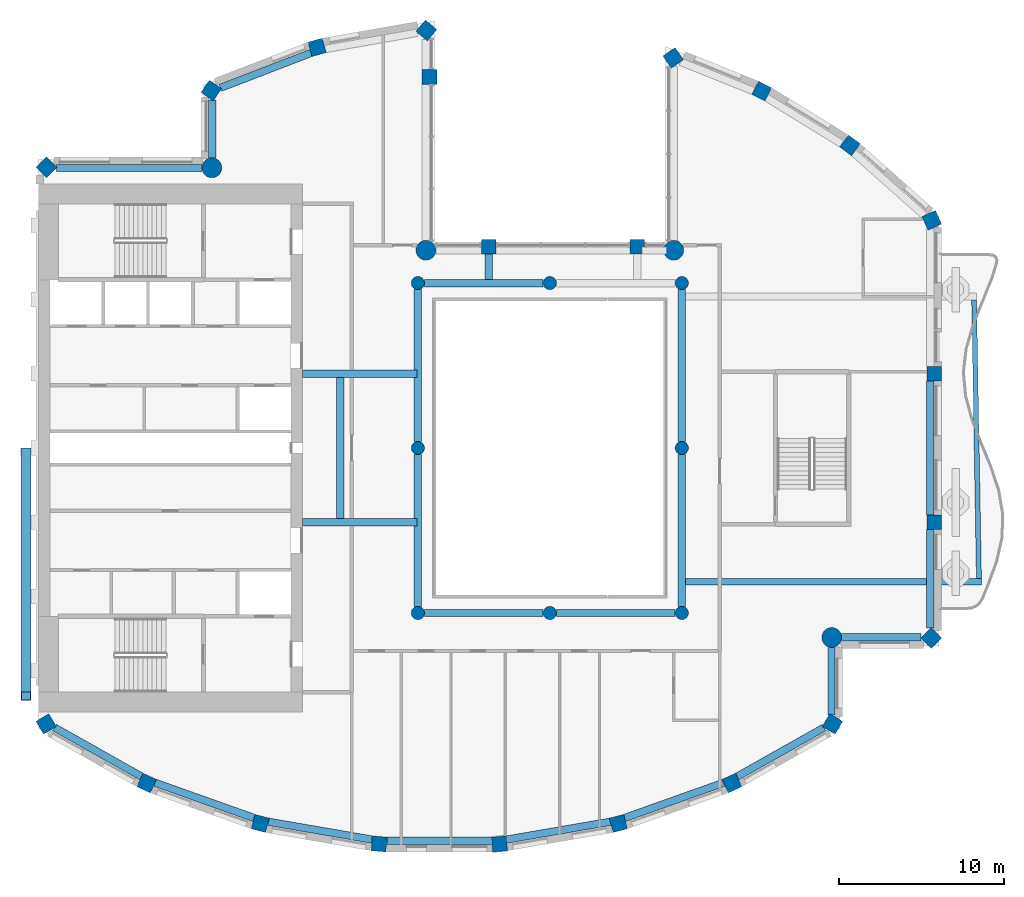
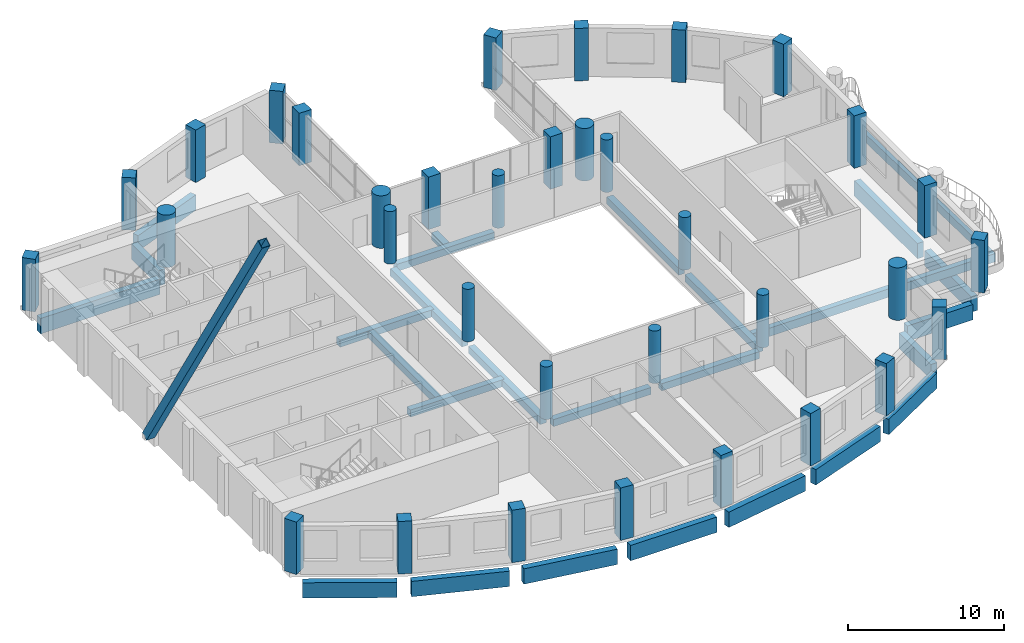
# One storey, part 1 of 15: 34 columns, 27 beams, 1 member.
"""IFC4 building model written with IfcOpenShell, lengths in metres."""

from ifc_helpers import new_model, si_unit, direction, frame, origin, origin_2d, place, context, subcontext, project, spatial, rectangle, hollow_rectangle, circle, extrude, material, material_profile, profile_set, type_object, element, save


model = new_model("IFC4")

# Units and contexts
model_context = context("Model", 3, precision=1e-05, world=origin(), true_north=direction((0.0, 1.0)))
body_context = subcontext(model_context, "Body", "Model", "MODEL_VIEW")
ifc_project = project(units=[si_unit("LENGTHUNIT", "METRE"), si_unit("AREAUNIT", "SQUARE_METRE"), si_unit("VOLUMEUNIT", "CUBIC_METRE"), si_unit("PLANEANGLEUNIT", "RADIAN"), si_unit("MASSUNIT", "GRAM", prefix="KILO")], contexts=[model_context])

# Site, building, storey
site_placement = place(None, origin())
site = spatial("IfcSite", under=ifc_project, at=site_placement, CompositionType="ELEMENT")
building_placement = place(site_placement, origin())
building = spatial("IfcBuilding", under=site, at=building_placement, Name="Cypress Arch Tower", CompositionType="ELEMENT")
storey_placement = place(building_placement, frame((0.0, 0.0, 313.10009765625)))
storey = spatial("IfcBuildingStorey", under=building, at=storey_placement, Name="L71", CompositionType="ELEMENT", Elevation=313.10009765625)

# Columns
ifc_material_1 = material(Name="Concrete C60/75", Category="concrete")
ifc_material_profile_1 = material_profile(ifc_material_1, rectangle(XDim=0.89990234375, YDim=0.89990234375, at=origin_2d()), Name="RC 900x900")
ifc_profile_set_1 = profile_set([ifc_material_profile_1], Name="Concrete C60/75")
column_type_1 = type_object("IfcColumnType", Name="Column RC 900x900 Concrete C60/75", PredefinedType="COLUMN", material=ifc_profile_set_1)
for number, where, z_axis, x_axis, name in (
    (1, (8.474853515625, 23.6474609375, 0.0), (0.0, 0.0, 1.0), (-0.828469606019, -0.560034027451, 0.0), "Column L71 CC00"),
    (2, (6.300048828125, 12.199951171875, 0.0), (0.0, 0.0, 1.0), (-1.0, 0.0, 0.0), "Column L71 CC02"),
    (3, (-2.699951171875, 12.199951171875, 0.0), (0.0, 0.0, 1.0), (-1.0, 0.0, 0.0), "Column L71 CC03"),
    (4, (-6.300048828125, 22.5, 0.0), (0.0, 0.0, 1.0), (0.0, 1.0, 0.0), "Column L71 CC05"),
    (5, (-6.48388671875, 25.313232421875, 0.0), (0.0, 0.0, 1.0), (-0.766063514674, 0.642764880407, 0.0), "Column L71 CC06"),
    (6, (-13.108154296875, 24.28955078125, 0.0), (0.0, 0.0, 1.0), (-0.96345574646, -0.267867550506, 0.0), "Column L71 CC07"),
    (7, (-19.5244140625, 21.673583984375, 0.0), (0.0, 0.0, 1.0), (-0.565892599589, -0.824478966215, 0.0), "Column L71 CC08"),
    (8, (-29.513671875, 17.013671875, 0.0), (0.0, 0.0, 1.0), (-0.707106781187, -0.707106781187, 0.0), "Column L71 CC10"),
    (9, (-29.534423828125, -16.72802734375, 0.0), (0.0, 0.0, 1.0), (0.504399289829, -0.86347053014, 0.0), "Column L71 CC11"),
    (10, (-23.439697265625, -20.312255859375, 0.0), (0.0, 0.0, 1.0), (0.909932071487, -0.414757308891, 0.0), "Column L71 CC12"),
    (11, (-16.55419921875, -22.762939453125, 0.0), (0.0, 0.0, 1.0), (0.96735573689, -0.2534223319, 0.0), "Column L71 CC13"),
    (12, (-9.351318359375, -24.00341796875, 0.0), (0.0, 0.0, 1.0), (0.996368206733, -0.085149260784, 0.0), "Column L71 CC14"),
    (13, (-2.048828125, -24.00341796875, 0.0), (0.0, 0.0, 1.0), (0.996368206733, 0.085149260784, 0.0), "Column L71 CC15"),
    (14, (5.154296875, -22.762939453125, 0.0), (0.0, 0.0, 1.0), (0.96735573689, 0.2534223319, 0.0), "Column L71 CC16"),
    (15, (12.039794921875, -20.312255859375, 0.0), (0.0, 0.0, 1.0), (0.909932071487, 0.414757308891, 0.0), "Column L71 CC17"),
    (16, (18.134521484375, -16.72802734375, 0.0), (0.0, 0.0, 1.0), (0.504399289829, 0.86347053014, 0.0), "Column L71 CC18"),
    (17, (24.113525390625, -11.513671875, 0.0), (0.0, 0.0, 1.0), (0.707106781187, 0.707106781187, 0.0), "Column L71 CC20"),
    (18, (24.300048828125, -4.5, 0.0), (0.0, 0.0, 1.0), (0.0, 1.0, 0.0), "Column L71 CC21"),
    (19, (24.300048828125, 4.5, 0.0), (0.0, 0.0, 1.0), (0.0, 1.0, 0.0), "Column L71 CC22"),
    (20, (24.155029296875, 13.800048828125, 0.0), (0.0, 0.0, 1.0), (-0.409765058504, 0.912191096662, 0.0), "Column L71 CC23"),
    (21, (19.197998046875, 18.347900390625, 0.0), (0.0, 0.0, 1.0), (-0.802798546114, 0.596250362144, 0.0), "Column L71 CC24"),
    (22, (13.84814453125, 21.638427734375, 0.0), (0.0, 0.0, 1.0), (-0.893106499805, 0.44984528452, 0.0), "Column L71 CC25"),
):
    element("IfcColumn", number, at=place(storey_placement, frame(where, z_axis=z_axis, x_axis=x_axis)), inside=storey, type_object=column_type_1, Name=name, PredefinedType="COLUMN", context=body_context, shape_type="SweptSolid", body=[
        extrude(rectangle(XDim=0.89990234375, YDim=0.89990234375, at=origin_2d()), origin(), (0.0, 0.0, 1.0), 4.099853515625),
    ])
ifc_material_2 = material(Name="Concrete C60/75", Category="concrete")
ifc_material_profile_2 = material_profile(ifc_material_2, circle(Radius=0.39990234375, at=origin_2d()), Name="RC D800")
ifc_profile_set_2 = profile_set([ifc_material_profile_2], Name="Concrete C60/75")
column_type_2 = type_object("IfcColumnType", Name="Column RC D800 Concrete C60/75", PredefinedType="COLUMN", material=ifc_profile_set_2)
for number, where, z_axis, x_axis, name in (
    (23, (-7.0, -10.0, 0.0), (0.0, 0.0, 1.0), (1.0, 0.0, 0.0), "Column L71 RNG-L71-G-7-10"),
    (24, (-7.0, 0.0, 0.0), (0.0, 0.0, 1.0), (1.0, 0.0, 0.0), "Column L71 RNG-L71-G-7+0"),
    (25, (-7.0, 10.0, 0.0), (0.0, 0.0, 1.0), (1.0, 0.0, 0.0), "Column L71 RNG-L71-G-7+10"),
    (26, (1.0, -10.0, 0.0), (0.0, 0.0, 1.0), (1.0, 0.0, 0.0), "Column L71 RNG-L71-G+1-10"),
    (27, (1.0, 10.0, 0.0), (0.0, 0.0, 1.0), (1.0, 0.0, 0.0), "Column L71 RNG-L71-G+1+10"),
    (28, (9.0, -10.0, 0.0), (0.0, 0.0, 1.0), (1.0, 0.0, 0.0), "Column L71 RNG-L71-G+9-10"),
    (29, (9.0, 0.0, 0.0), (0.0, 0.0, 1.0), (1.0, 0.0, 0.0), "Column L71 RNG-L71-G+9+0"),
    (30, (9.0, 10.0, 0.0), (0.0, 0.0, 1.0), (1.0, 0.0, 0.0), "Column L71 RNG-L71-G+9+10"),
):
    element("IfcColumn", number, at=place(storey_placement, frame(where, z_axis=z_axis, x_axis=x_axis)), inside=storey, type_object=column_type_2, Name=name, PredefinedType="COLUMN", context=body_context, shape_type="SweptSolid", body=[
        extrude(circle(Radius=0.39990234375, at=origin_2d()), origin(), (0.0, 0.0, 1.0), 4.099853515625),
    ])
ifc_material_3 = material(Name="Concrete C60/75", Category="concrete")
ifc_material_profile_3 = material_profile(ifc_material_3, circle(Radius=0.60009765625, at=origin_2d()), Name="RC D1200")
ifc_profile_set_3 = profile_set([ifc_material_profile_3], Name="Concrete C60/75")
column_type_3 = type_object("IfcColumnType", Name="Mega-column RC D1200 Concrete C60/75", PredefinedType="COLUMN", material=ifc_profile_set_3)
for number, where, z_axis, x_axis, name in (
    (31, (8.51220703125, 11.98779296875, 0.0), (0.0, 0.0, 1.0), (1.0, 0.0, 0.0), "Column L71 CC01"),
    (32, (-6.51220703125, 11.98779296875, 0.0), (0.0, 0.0, 1.0), (1.0, 0.0, 0.0), "Column L71 CC04"),
    (33, (-19.48779296875, 16.98779296875, 0.0), (0.0, 0.0, 1.0), (1.0, 0.0, 0.0), "Column L71 CC09"),
    (34, (18.087890625, -11.48779296875, 0.0), (0.0, 0.0, 1.0), (1.0, 0.0, 0.0), "Column L71 CC19"),
):
    element("IfcColumn", number, at=place(storey_placement, frame(where, z_axis=z_axis, x_axis=x_axis)), inside=storey, type_object=column_type_3, Name=name, PredefinedType="COLUMN", context=body_context, shape_type="SweptSolid", body=[
        extrude(circle(Radius=0.60009765625, at=origin_2d()), origin(), (0.0, 0.0, 1.0), 4.099853515625),
    ])

# Beams
ifc_material_4 = material(Name="Concrete C50/60", Category="concrete")
ifc_material_profile_4 = material_profile(ifc_material_4, rectangle(XDim=0.300048828125, YDim=0.64990234375, at=origin_2d()), Name="RC 300x650")
ifc_profile_set_4 = profile_set([ifc_material_profile_4], Name="Concrete C50/60")
beam_type_1 = type_object("IfcBeamType", Name="Balcony edge beam RC 300x650 Concrete C50/60", PredefinedType="BEAM", material=ifc_profile_set_4)
beam_1_placement = place(storey_placement, frame((27.012939453125, -7.89990234375, -0.625), z_axis=(-0.017206169627, 0.999851962906, 0.0), x_axis=(-0.999851962906, -0.017206169627, 0.0)))
element("IfcBeam", 35, at=beam_1_placement, inside=storey, type_object=beam_type_1, Name="Balcony edge beam L71 C17", PredefinedType="BEAM", context=body_context, shape_type="SweptSolid", body=[
    extrude(rectangle(XDim=0.300048828125, YDim=0.64990234375, at=origin_2d()), origin(), (0.0, 0.0, 1.0), 16.885009765625),
])
ifc_material_5 = material(Name="Concrete C50/60", Category="concrete")
ifc_material_profile_5 = material_profile(ifc_material_5, rectangle(XDim=0.39990234375, YDim=0.64990234375, at=origin_2d()), Name="RC 400x650")
ifc_profile_set_5 = profile_set([ifc_material_profile_5], Name="Concrete C50/60")
beam_type_2 = type_object("IfcBeamType", Name="Cantilever beam RC 400x650 Concrete C50/60", PredefinedType="BEAM", material=ifc_profile_set_5)
beam_2_placement = place(storey_placement, frame((9.22509765625, -8.10009765625, -0.625), z_axis=(1.0, 0.0, 0.0), x_axis=(0.0, 1.0, 0.0)))
element("IfcBeam", 36, at=beam_2_placement, inside=storey, type_object=beam_type_2, Name="Cantilever beam L71 C17 1", PredefinedType="BEAM", context=body_context, shape_type="SweptSolid", body=[
    extrude(rectangle(XDim=0.39990234375, YDim=0.64990234375, at=origin_2d()), origin(), (0.0, 0.0, 1.0), 17.937744140625),
])
ifc_material_6 = material(Name="Concrete C50/60", Category="concrete")
ifc_material_profile_6 = material_profile(ifc_material_6, rectangle(XDim=0.449951171875, YDim=0.550048828125, at=origin_2d()), Name="RC 450x550")
ifc_profile_set_6 = profile_set([ifc_material_profile_6], Name="Concrete C50/60")
beam_type_3 = type_object("IfcBeamType", Name="Floor beam RC 450x550 Concrete C50/60", PredefinedType="BEAM", material=ifc_profile_set_6)
for number, where, z_axis, x_axis, name in (
    (37, (-7.0, -9.60009765625, -0.5751953125), (0.0, 1.0, 0.0), (-1.0, 0.0, 0.0), "Floor beam L71 RB001"),
    (38, (-7.0, 0.39990234375, -0.5751953125), (0.0, 1.0, 0.0), (-1.0, 0.0, 0.0), "Floor beam L71 RB002"),
    (39, (9.0, -9.60009765625, -0.5751953125), (0.0, 1.0, 0.0), (-1.0, 0.0, 0.0), "Floor beam L71 RB003"),
    (40, (9.0, 0.39990234375, -0.5751953125), (0.0, 1.0, 0.0), (-1.0, 0.0, 0.0), "Floor beam L71 RB004"),
):
    element("IfcBeam", number, at=place(storey_placement, frame(where, z_axis=z_axis, x_axis=x_axis)), inside=storey, type_object=beam_type_3, Name=name, PredefinedType="BEAM", context=body_context, shape_type="SweptSolid", body=[
        extrude(rectangle(XDim=0.449951171875, YDim=0.550048828125, at=origin_2d()), origin(), (0.0, 0.0, 1.0), 9.2001953125),
    ])
for number, where, z_axis, x_axis, name in (
    (41, (-6.60009765625, -10.0, -0.5751953125), (1.0, 0.0, 0.0), (0.0, 1.0, 0.0), "Floor beam L71 RB005"),
    (42, (1.39990234375, -10.0, -0.5751953125), (1.0, 0.0, 0.0), (0.0, 1.0, 0.0), "Floor beam L71 RB006"),
    (43, (-6.60009765625, 10.0, -0.5751953125), (1.0, 0.0, 0.0), (0.0, 1.0, 0.0), "Floor beam L71 RB007"),
):
    element("IfcBeam", number, at=place(storey_placement, frame(where, z_axis=z_axis, x_axis=x_axis)), inside=storey, type_object=beam_type_3, Name=name, PredefinedType="BEAM", context=body_context, shape_type="SweptSolid", body=[
        extrude(rectangle(XDim=0.449951171875, YDim=0.550048828125, at=origin_2d()), origin(), (0.0, 0.0, 1.0), 7.2001953125),
    ])
for number, where, z_axis, x_axis, name in (
    (44, (-14.0, -4.5, -0.5751953125), (1.0, 0.0, 0.0), (0.0, 1.0, 0.0), "Floor beam L71 FB009"),
    (45, (-14.0, 4.5, -0.5751953125), (1.0, 0.0, 0.0), (0.0, 1.0, 0.0), "Floor beam L71 FB010"),
):
    element("IfcBeam", number, at=place(storey_placement, frame(where, z_axis=z_axis, x_axis=x_axis)), inside=storey, type_object=beam_type_3, Name=name, PredefinedType="BEAM", context=body_context, shape_type="SweptSolid", body=[
        extrude(rectangle(XDim=0.449951171875, YDim=0.550048828125, at=origin_2d()), origin(), (0.0, 0.0, 1.0), 6.949951171875),
    ])
beam_3_placement = place(storey_placement, frame((-11.699951171875, -4.27490234375, -0.5751953125), z_axis=(0.0, 1.0, 0.0), x_axis=(-1.0, 0.0, 0.0)))
element("IfcBeam", 46, at=beam_3_placement, inside=storey, type_object=beam_type_3, Name="Floor beam L71 FB011", PredefinedType="BEAM", context=body_context, shape_type="SweptSolid", body=[
    extrude(rectangle(XDim=0.449951171875, YDim=0.550048828125, at=origin_2d()), origin(), (0.0, 0.0, 1.0), 8.5498046875),
])
beam_4_placement = place(storey_placement, frame((-2.699951171875, 10.22509765625, -0.5751953125), z_axis=(0.0, 1.0, 0.0), x_axis=(-1.0, 0.0, 0.0)))
element("IfcBeam", 47, at=beam_4_placement, inside=storey, type_object=beam_type_3, Name="Floor beam L71 FB012", PredefinedType="BEAM", context=body_context, shape_type="SweptSolid", body=[
    extrude(rectangle(XDim=0.449951171875, YDim=0.550048828125, at=origin_2d()), origin(), (0.0, 0.0, 1.0), 1.52490234375),
])
ifc_material_7 = material(Name="Concrete C50/60", Category="concrete")
ifc_material_profile_7 = material_profile(ifc_material_7, rectangle(XDim=0.449951171875, YDim=1.199951171875, at=origin_2d()), Name="RC 450x1200")
ifc_profile_set_7 = profile_set([ifc_material_profile_7], Name="Concrete C50/60")
beam_type_4 = type_object("IfcBeamType", Name="Spandrel beam RC 450x1200 Concrete C50/60", PredefinedType="SPANDREL", material=ifc_profile_set_7)
beam_5_placement = place(storey_placement, frame((-13.48046875, 23.94921875, -1.550048828125), z_axis=(-0.933138853319, -0.359516175472, 0.0), x_axis=(0.359516175472, -0.933138853319, 0.0)))
element("IfcBeam", 48, at=beam_5_placement, inside=storey, type_object=beam_type_4, Name="Spandrel beam L71 BC04-0", PredefinedType="SPANDREL", context=body_context, shape_type="SweptSolid", body=[
    extrude(rectangle(XDim=0.449951171875, YDim=1.199951171875, at=origin_2d()), origin(), (0.0, 0.0, 1.0), 5.878173828125),
])
beam_6_placement = place(storey_placement, frame((-19.47509765625, 21.09375, -1.550048828125), z_axis=(0.0, -1.0, 0.0), x_axis=(1.0, 0.0, 0.0)))
element("IfcBeam", 49, at=beam_6_placement, inside=storey, type_object=beam_type_4, Name="Spandrel beam L71 BC05-0", PredefinedType="SPANDREL", context=body_context, shape_type="SweptSolid", body=[
    extrude(rectangle(XDim=0.449951171875, YDim=1.199951171875, at=origin_2d()), origin(), (0.0, 0.0, 1.0), 3.506103515625),
])
beam_7_placement = place(storey_placement, frame((-20.087646484375, 16.97509765625, -1.550048828125), z_axis=(-1.0, 0.0, 0.0), x_axis=(0.0, -1.0, 0.0)))
element("IfcBeam", 50, at=beam_7_placement, inside=storey, type_object=beam_type_4, Name="Spandrel beam L71 BC06-0", PredefinedType="SPANDREL", context=body_context, shape_type="SweptSolid", body=[
    extrude(rectangle(XDim=0.449951171875, YDim=1.199951171875, at=origin_2d()), origin(), (0.0, 0.0, 1.0), 8.828125),
])
beam_8_placement = place(storey_placement, frame((-29.02099609375, -16.94921875, -1.550048828125), z_axis=(0.871059543975, -0.491177433165, 0.0), x_axis=(0.491177433165, 0.871059543975, 0.0)))
element("IfcBeam", 51, at=beam_8_placement, inside=storey, type_object=beam_type_4, Name="Spandrel beam L71 BC08-0", PredefinedType="SPANDREL", context=body_context, shape_type="SweptSolid", body=[
    extrude(rectangle(XDim=0.449951171875, YDim=1.199951171875, at=origin_2d()), origin(), (0.0, 0.0, 1.0), 6.045654296875),
])
beam_9_placement = place(storey_placement, frame((-22.93603515625, -20.2919921875, -1.550048828125), z_axis=(0.942120065582, -0.33527568064, 0.0), x_axis=(0.33527568064, 0.942120065582, 0.0)))
element("IfcBeam", 52, at=beam_9_placement, inside=storey, type_object=beam_type_4, Name="Spandrel beam L71 BC09-0", PredefinedType="SPANDREL", context=body_context, shape_type="SweptSolid", body=[
    extrude(rectangle(XDim=0.449951171875, YDim=1.199951171875, at=origin_2d()), origin(), (0.0, 0.0, 1.0), 6.373046875),
])
beam_10_placement = place(storey_placement, frame((-16.061279296875, -22.656982421875, -1.550048828125), z_axis=(0.985502990778, -0.169658053646, 0.0), x_axis=(0.169658053646, 0.985502990778, 0.0)))
element("IfcBeam", 53, at=beam_10_placement, inside=storey, type_object=beam_type_4, Name="Spandrel beam L71 BC10-0", PredefinedType="SPANDREL", context=body_context, shape_type="SweptSolid", body=[
    extrude(rectangle(XDim=0.449951171875, YDim=1.199951171875, at=origin_2d()), origin(), (0.0, 0.0, 1.0), 6.373291015625),
])
beam_11_placement = place(storey_placement, frame((-8.883544921875, -23.81494140625, -1.550048828125), z_axis=(1.0, 0.0, 0.0), x_axis=(0.0, 1.0, 0.0)))
element("IfcBeam", 54, at=beam_11_placement, inside=storey, type_object=beam_type_4, Name="Spandrel beam L71 BC11-0", PredefinedType="SPANDREL", context=body_context, shape_type="SweptSolid", body=[
    extrude(rectangle(XDim=0.449951171875, YDim=1.199951171875, at=origin_2d()), origin(), (0.0, 0.0, 1.0), 6.366943359375),
])
beam_12_placement = place(storey_placement, frame((-1.619873046875, -23.73828125, -1.550048828125), z_axis=(0.985504093315, 0.169651649149, 0.0), x_axis=(-0.169651649149, 0.985504093315, 0.0)))
element("IfcBeam", 55, at=beam_12_placement, inside=storey, type_object=beam_type_4, Name="Spandrel beam L71 BC12-0", PredefinedType="SPANDREL", context=body_context, shape_type="SweptSolid", body=[
    extrude(rectangle(XDim=0.449951171875, YDim=1.199951171875, at=origin_2d()), origin(), (0.0, 0.0, 1.0), 6.37353515625),
])
beam_13_placement = place(storey_placement, frame((5.531982421875, -22.4287109375, -1.550048828125), z_axis=(0.942115759102, 0.335287781541, 0.0), x_axis=(-0.335287781541, 0.942115759102, 0.0)))
element("IfcBeam", 56, at=beam_13_placement, inside=storey, type_object=beam_type_4, Name="Spandrel beam L71 BC13-0", PredefinedType="SPANDREL", context=body_context, shape_type="SweptSolid", body=[
    extrude(rectangle(XDim=0.449951171875, YDim=1.199951171875, at=origin_2d()), origin(), (0.0, 0.0, 1.0), 6.372802734375),
])
beam_14_placement = place(storey_placement, frame((12.35498046875, -19.918701171875, -1.550048828125), z_axis=(0.871059543975, 0.491177433165, 0.0), x_axis=(-0.491177433165, 0.871059543975, 0.0)))
element("IfcBeam", 57, at=beam_14_placement, inside=storey, type_object=beam_type_4, Name="Spandrel beam L71 BC14-0", PredefinedType="SPANDREL", context=body_context, shape_type="SweptSolid", body=[
    extrude(rectangle(XDim=0.449951171875, YDim=1.199951171875, at=origin_2d()), origin(), (0.0, 0.0, 1.0), 6.045654296875),
])
beam_15_placement = place(storey_placement, frame((18.074951171875, -16.172119140625, -1.550048828125), z_axis=(0.0, 1.0, 0.0), x_axis=(-1.0, 0.0, 0.0)))
element("IfcBeam", 58, at=beam_15_placement, inside=storey, type_object=beam_type_4, Name="Spandrel beam L71 BC15-0", PredefinedType="SPANDREL", context=body_context, shape_type="SweptSolid", body=[
    extrude(rectangle(XDim=0.449951171875, YDim=1.199951171875, at=origin_2d()), origin(), (0.0, 0.0, 1.0), 4.08447265625),
])
beam_16_placement = place(storey_placement, frame((18.6875, -11.47509765625, -1.550048828125), z_axis=(1.0, 0.0, 0.0), x_axis=(0.0, 1.0, 0.0)))
element("IfcBeam", 59, at=beam_16_placement, inside=storey, type_object=beam_type_4, Name="Spandrel beam L71 BC16-0", PredefinedType="SPANDREL", context=body_context, shape_type="SweptSolid", body=[
    extrude(rectangle(XDim=0.449951171875, YDim=1.199951171875, at=origin_2d()), origin(), (0.0, 0.0, 1.0), 4.828369140625),
])
beam_17_placement = place(storey_placement, frame((24.074951171875, -10.915771484375, -1.550048828125), z_axis=(0.0, 1.0, 0.0), x_axis=(-1.0, 0.0, 0.0)))
element("IfcBeam", 60, at=beam_17_placement, inside=storey, type_object=beam_type_4, Name="Spandrel beam L71 BC17-0", PredefinedType="SPANDREL", context=body_context, shape_type="SweptSolid", body=[
    extrude(rectangle(XDim=0.449951171875, YDim=1.199951171875, at=origin_2d()), origin(), (0.0, 0.0, 1.0), 5.9658203125),
])
beam_18_placement = place(storey_placement, frame((24.074951171875, -4.050048828125, -1.550048828125), z_axis=(0.0, 1.0, 0.0), x_axis=(-1.0, 0.0, 0.0)))
element("IfcBeam", 61, at=beam_18_placement, inside=storey, type_object=beam_type_4, Name="Spandrel beam L71 BC17-1", PredefinedType="SPANDREL", context=body_context, shape_type="SweptSolid", body=[
    extrude(rectangle(XDim=0.449951171875, YDim=1.199951171875, at=origin_2d()), origin(), (0.0, 0.0, 1.0), 8.10009765625),
])

# Member
ifc_material_8 = material(Name="Steel ASTM A501 Grade B", Category="steel")
ifc_material_profile_8 = material_profile(ifc_material_8, hollow_rectangle(XDim=0.609619140625, YDim=0.609619140625, WallThickness=0.023681640625, at=origin_2d()), Name="HSS 24x24x1")
ifc_profile_set_8 = profile_set([ifc_material_profile_8], Name="Steel ASTM A501 Grade B")
member_type = type_object("IfcMemberType", Name="West bracing diagonal HSS 24x24x1 Steel ASTM A501 Grade B", PredefinedType="BRACE", material=ifc_profile_set_8)
member_placement = place(storey_placement, frame((-30.7548828125, -15.036376953125, 24.87060546875), z_axis=(0.0, 0.525049579326, -0.851071641667), x_axis=(-1.0, 0.0, 0.0)))
element("IfcMember", 62, at=member_placement, inside=storey, type_object=member_type, Name="West bracing diagonal 6B", PredefinedType="BRACE", context=body_context, shape_type="SweptSolid", body=[
    extrude(hollow_rectangle(XDim=0.609619140625, YDim=0.609619140625, WallThickness=0.023681640625, at=origin_2d()), origin(), (0.0, 0.0, 1.0), 28.144775390625),
])

save(model, "model.ifc")
